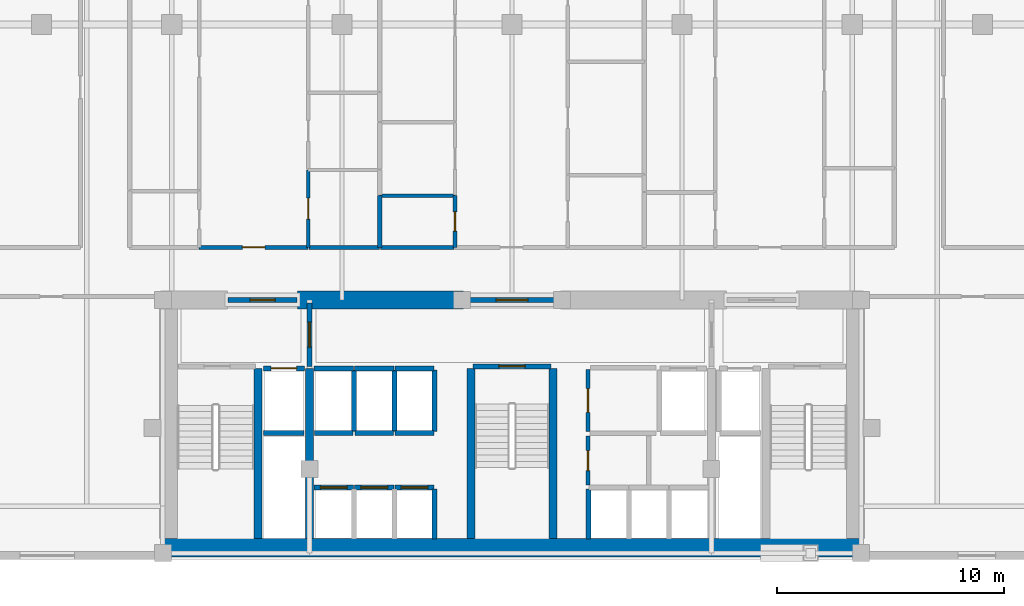
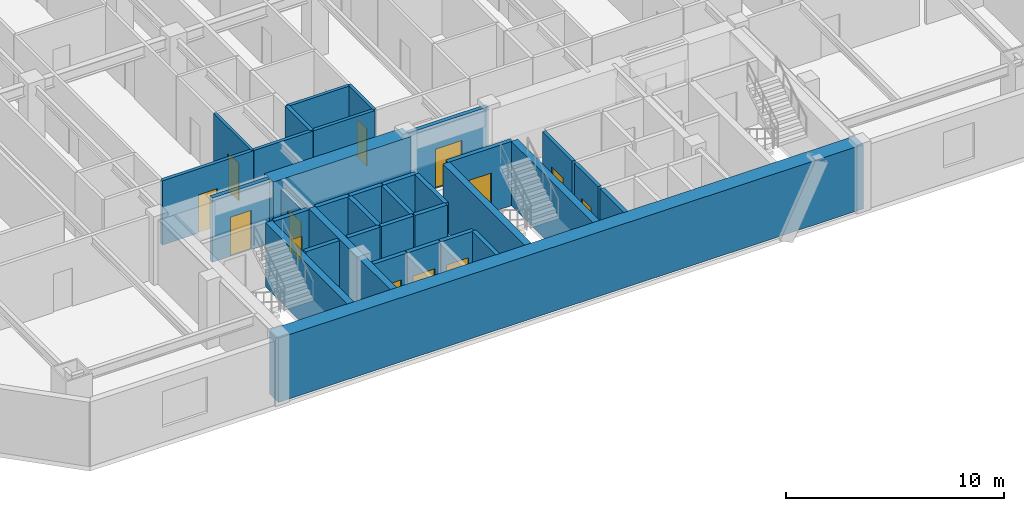
# One storey, part 3 of 9: 35 walls, 13 doors, 13 openings.
"""IFC4 building model written with IfcOpenShell, lengths in metres."""

from ifc_helpers import new_model, si_unit, direction, frame, frame_2d, origin, place, context, subcontext, project, spatial, rectangle, extrude, material, layer, layer_set, type_object, element, fill, save


model = new_model("IFC4")

# Units and contexts
model_context = context("Model", 3, precision=1e-05, world=origin(), true_north=direction((0.0, 1.0)))
body_context = subcontext(model_context, "Body", "Model", "MODEL_VIEW")
ifc_project = project(units=[si_unit("LENGTHUNIT", "METRE"), si_unit("AREAUNIT", "SQUARE_METRE"), si_unit("VOLUMEUNIT", "CUBIC_METRE"), si_unit("PLANEANGLEUNIT", "RADIAN"), si_unit("MASSUNIT", "GRAM", prefix="KILO")], contexts=[model_context])

# Site, building, storey
site_placement = place(None, origin())
site = spatial("IfcSite", under=ifc_project, at=site_placement, CompositionType="ELEMENT")
building_placement = place(site_placement, origin())
building = spatial("IfcBuilding", under=site, at=building_placement, Name="Ventersveld Concourse Tower", CompositionType="ELEMENT")
storey_placement = place(building_placement, frame((0.0, 0.0, 52.89990234375)))
storey = spatial("IfcBuildingStorey", under=building, at=storey_placement, Name="L12", CompositionType="ELEMENT", Elevation=52.89990234375)

# Walls
ifc_material_1 = material(Name="Concrete C60/75", Category="concrete")
ifc_layer_1 = layer(ifc_material_1, 0.35009765625)
ifc_layer_set_1 = layer_set([ifc_layer_1], Name="Concrete C60/75")
wall_type_1 = type_object("IfcWallType", Name="WL-CORE-350L", PredefinedType="SHEAR", material=ifc_layer_set_1)
for number, where, z_axis, x_axis, name in (
    (1, (17.5400390625, 0.919921875, 0.0), (0.0, 0.0, 1.0), (0.0, 1.0, 0.0), "L12 Core Internal Shear Web W-ST1-E"),
    (2, (19.820068359375, 0.919921875, 0.0), (0.0, 0.0, 1.0), (0.0, 1.0, 0.0), "L12 Core Internal Shear Web W-FF1-E"),
    (3, (26.93994140625, 0.919921875, 0.0), (0.0, 0.0, 1.0), (0.0, 1.0, 0.0), "L12 Core Internal Shear Web W-ST3-W"),
    (4, (30.56005859375, 0.919921875, 0.0), (0.0, 0.0, 1.0), (0.0, 1.0, 0.0), "L12 Core Internal Shear Web W-ST3-E"),
):
    element("IfcWall", number, at=place(storey_placement, frame(where, z_axis=z_axis, x_axis=x_axis)), inside=storey, type_object=wall_type_1, Name=name, PredefinedType="SHEAR", context=body_context, shape_type="SweptSolid", body=[
        extrude(rectangle(XDim=7.5, YDim=0.35009765625, at=frame_2d((3.75, 0.0))), origin(), (0.0, 0.0, 1.0), 3.60009765625),
    ])
ifc_layer_2 = layer(ifc_material_1, 0.800048828125)
ifc_layer_set_2 = layer_set([ifc_layer_2], Name="Concrete C60/75")
wall_type_2 = type_object("IfcWallType", Name="WL-CORE-800", PredefinedType="SHEAR", material=ifc_layer_set_2)
wall_1_placement = place(storey_placement, frame((13.25, 0.52001953125, 0.0), z_axis=(0.0, 0.0, 1.0), x_axis=(1.0, 0.0, 0.0)))
element("IfcWall", 5, at=wall_1_placement, inside=storey, type_object=wall_type_2, Name="L12 Rear Core South Shear Wall", PredefinedType="SHEAR", context=body_context, shape_type="SweptSolid", body=[
    extrude(rectangle(XDim=31.0, YDim=0.800048828125, at=frame_2d((15.5, 0.0))), origin(), (0.0, 0.0, 1.0), 3.60009765625),
])
wall_2_placement = place(storey_placement, frame((19.300048828125, 11.449951171875, 0.0), z_axis=(0.0, 0.0, 1.0), x_axis=(1.0, 0.0, 0.0)))
element("IfcWall", 6, at=wall_2_placement, inside=storey, type_object=wall_type_2, Name="L12 Rear Core North Shear Wall NML", PredefinedType="SHEAR", context=body_context, shape_type="SweptSolid", body=[
    extrude(rectangle(XDim=7.300048828125, YDim=0.800048828125, at=frame_2d((3.64990234375, 0.0))), origin(), (0.0, 0.0, 1.0), 3.60009765625),
])

# Wall, opening, door
ifc_material_2 = material(Name="Fire-rated autoclaved aerated masonry blockwork", Category="masonry")
ifc_layer_3 = layer(ifc_material_2, 0.179931640625)
ifc_layer_set_3 = layer_set([ifc_layer_3], Name="Fire-rated autoclaved aerated masonry blockwork")
wall_type_3 = type_object("IfcWallType", Name="WL-CORR-180", PredefinedType="PARTITIONING", material=ifc_layer_set_3)
wall_3_placement = place(storey_placement, frame((32.10009765625, 5.64990234375, 0.0), z_axis=(0.0, 0.0, 1.0), x_axis=(0.0, 1.0, 0.0)))
wall_3 = element("IfcWall", 7, at=wall_3_placement, inside=storey, type_object=wall_type_3, Name="L12 Core Passage Wall SP-L12-CBAY1", PredefinedType="PARTITIONING", context=body_context, shape_type="SweptSolid", body=[
    extrude(rectangle(XDim=2.72998046875, YDim=0.179931640625, at=frame_2d((1.364990234375, 0.0))), origin(), (0.0, 0.0, 1.0), 3.60009765625),
])
opening_1_placement = place(wall_3_placement, frame((0.840087890625, 0.0, 0.0)))
opening_1 = element("IfcOpeningElement", 8, at=opening_1_placement, cuts=wall_3, Name="Opening ID3", PredefinedType="OPENING", context=body_context, shape_type="SweptSolid", body=[
    extrude(rectangle(XDim=1.050048828125, YDim=2.14990234375, at=frame_2d((0.52490234375, 1.074951171875))), frame((0.0, 0.10009765625, 0.0), z_axis=(0.0, -1.0, 0.0), x_axis=(1.0, 0.0, 0.0)), (0.0, 0.0, 1.0), 0.199951171875),
])
ifc_material_3 = material(Name="Solid-core hardwood veneer timber", Category="wood")
door_type_1 = type_object("IfcDoorType", Name="DR-AWC-105", OperationType="NOTDEFINED", PredefinedType="DOOR", material=ifc_material_3)
door_1_placement = place(opening_1_placement, origin())
door_1 = element("IfcDoor", 9, at=door_1_placement, inside=storey, type_object=door_type_1, Name="L12 Core Room Door L12 Core Unisex Accessible WC (CD-L12-0485)", OperationType="SINGLE_SWING_RIGHT", OverallHeight=2.14990234375, OverallWidth=1.050048828125, PredefinedType="DOOR", context=body_context, shape_type="SweptSolid", body=[
    extrude(rectangle(XDim=1.050048828125, YDim=2.14990234375, at=frame_2d((0.52490234375, 1.074951171875))), frame((0.0, 0.02490234375, 0.0), z_axis=(0.0, -1.0, 0.0), x_axis=(1.0, 0.0, 0.0)), (0.0, 0.0, 1.0), 0.050048828125),
])
fill(opening_1, door_1)

wall_4_placement = place(storey_placement, frame((32.10009765625, 3.280029296875, 0.0), z_axis=(0.0, 0.0, 1.0), x_axis=(0.0, 1.0, 0.0)))
wall_4 = element("IfcWall", 10, at=wall_4_placement, inside=storey, type_object=wall_type_3, Name="L12 Core Passage Wall SP-L12-CBAY2", PredefinedType="PARTITIONING", context=body_context, shape_type="SweptSolid", body=[
    extrude(rectangle(XDim=2.169921875, YDim=0.179931640625, at=frame_2d((1.0849609375, 0.0))), origin(), (0.0, 0.0, 1.0), 3.60009765625),
])
opening_2_placement = place(wall_4_placement, frame((0.64501953125, 0.0, 0.0)))
opening_2 = element("IfcOpeningElement", 11, at=opening_2_placement, cuts=wall_4, Name="Opening FD5", PredefinedType="OPENING", context=body_context, shape_type="SweptSolid", body=[
    extrude(rectangle(XDim=0.8798828125, YDim=2.050048828125, at=frame_2d((0.43994140625, 1.02490234375))), frame((0.0, 0.10009765625, 0.0), z_axis=(0.0, -1.0, 0.0), x_axis=(1.0, 0.0, 0.0)), (0.0, 0.0, 1.0), 0.199951171875),
])
ifc_material_4 = material(Name="Galvanised painted steel", Category="steel")
door_type_2 = type_object("IfcDoorType", Name="DR-RISER-088", OperationType="NOTDEFINED", PredefinedType="DOOR", material=ifc_material_4)
door_2_placement = place(opening_2_placement, origin())
door_2 = element("IfcDoor", 12, at=door_2_placement, inside=storey, type_object=door_type_2, Name="L12 Core Room Door L12 Core Beverage Pantry (CD-L12-0486)", OperationType="SINGLE_SWING_LEFT", OverallHeight=2.050048828125, OverallWidth=0.8798828125, PredefinedType="DOOR", context=body_context, shape_type="SweptSolid", body=[
    extrude(rectangle(XDim=0.8798828125, YDim=2.050048828125, at=frame_2d((0.43994140625, 1.02490234375))), frame((0.0, 0.02490234375, 0.0), z_axis=(0.0, -1.0, 0.0), x_axis=(1.0, 0.0, 0.0)), (0.0, 0.0, 1.0), 0.050048828125),
])
fill(opening_2, door_2)

wall_5_placement = place(storey_placement, frame((14.94677734375, 13.77001953125, 0.0), z_axis=(0.0, 0.0, 1.0), x_axis=(1.0, 0.0, 0.0)))
wall_5 = element("IfcWall", 13, at=wall_5_placement, inside=storey, type_object=wall_type_3, Name="L12 Interior Partition SP-L12-COR-SP-L12-12CW-FOY", PredefinedType="PARTITIONING", context=body_context, shape_type="SweptSolid", body=[
    extrude(rectangle(XDim=4.81640625, YDim=0.179931640625, at=frame_2d((2.408203125, 0.0))), origin(), (0.0, 0.0, 1.0), 3.60009765625),
])
opening_3_placement = place(wall_5_placement, frame((1.908203125, 0.0, 0.0)))
opening_3 = element("IfcOpeningElement", 14, at=opening_3_placement, cuts=wall_5, Name="Opening FD3", PredefinedType="OPENING", context=body_context, shape_type="SweptSolid", body=[
    extrude(rectangle(XDim=1.0, YDim=2.14990234375, at=frame_2d((0.5, 1.074951171875))), frame((0.0, 0.10009765625, 0.0), z_axis=(0.0, -1.0, 0.0), x_axis=(1.0, 0.0, 0.0)), (0.0, 0.0, 1.0), 0.199951171875),
])
door_type_3 = type_object("IfcDoorType", Name="DR-FLAT-100", OperationType="NOTDEFINED", PredefinedType="DOOR", material=ifc_material_3)
door_3_placement = place(opening_3_placement, origin())
door_3 = element("IfcDoor", 15, at=door_3_placement, inside=storey, type_object=door_type_3, Name="L12 Interior Door SP-L12-COR to SP-L12-12CW-FOY (FD-L12-0491)", OperationType="SINGLE_SWING_LEFT", OverallHeight=2.14990234375, OverallWidth=1.0, PredefinedType="DOOR", context=body_context, shape_type="SweptSolid", body=[
    extrude(rectangle(XDim=1.0, YDim=2.14990234375, at=frame_2d((0.5, 1.074951171875))), frame((0.0, 0.02490234375, 0.0), z_axis=(0.0, -1.0, 0.0), x_axis=(1.0, 0.0, 0.0)), (0.0, 0.0, 1.0), 0.050048828125),
])
fill(opening_3, door_3)

# Walls
wall_6_placement = place(storey_placement, frame((19.793212890625, 13.77001953125, 0.0), z_axis=(0.0, 0.0, 1.0), x_axis=(1.0, 0.0, 0.0)))
element("IfcWall", 16, at=wall_6_placement, inside=storey, type_object=wall_type_3, Name="L12 Interior Partition SP-L12-COR-SP-L12-12CW-KIT", PredefinedType="PARTITIONING", context=body_context, shape_type="SweptSolid", body=[
    extrude(rectangle(XDim=3.121826171875, YDim=0.179931640625, at=frame_2d((1.56103515625, 0.0))), origin(), (0.0, 0.0, 1.0), 3.60009765625),
])
wall_7_placement = place(storey_placement, frame((22.945068359375, 13.77001953125, 0.0), z_axis=(0.0, 0.0, 1.0), x_axis=(1.0, 0.0, 0.0)))
element("IfcWall", 17, at=wall_7_placement, inside=storey, type_object=wall_type_3, Name="L12 Interior Partition SP-L12-COR-SP-L12-12CM-BATH", PredefinedType="PARTITIONING", context=body_context, shape_type="SweptSolid", body=[
    extrude(rectangle(XDim=3.256103515625, YDim=0.179931640625, at=frame_2d((1.6279296875, 0.0))), origin(), (0.0, 0.0, 1.0), 3.60009765625),
])
ifc_layer_4 = layer(ifc_material_2, 0.199951171875)
ifc_layer_set_4 = layer_set([ifc_layer_4], Name="Fire-rated autoclaved aerated masonry blockwork")
wall_type_4 = type_object("IfcWallType", Name="WL-DEMISE-200", PredefinedType="PARTITIONING", material=ifc_layer_set_4)
wall_8_placement = place(storey_placement, frame((22.909912109375, 13.764892578125, 0.0), z_axis=(0.0, 0.0, 1.0), x_axis=(0.0, 1.0, 0.0)))
element("IfcWall", 18, at=wall_8_placement, inside=storey, type_object=wall_type_4, Name="L12 Interior Partition SP-L12-12CW-KIT-SP-L12-12CM-BATH", PredefinedType="PARTITIONING", context=body_context, shape_type="SweptSolid", body=[
    extrude(rectangle(XDim=2.287841796875, YDim=0.199951171875, at=frame_2d((1.14404296875, 0.0))), origin(), (0.0, 0.0, 1.0), 3.60009765625),
])
ifc_layer_5 = layer(ifc_material_2, 0.219970703125)
ifc_layer_set_5 = layer_set([ifc_layer_5], Name="Fire-rated autoclaved aerated masonry blockwork")
wall_type_5 = type_object("IfcWallType", Name="WL-HOIST-220", PredefinedType="SOLIDWALL", material=ifc_layer_set_5)
wall_9_placement = place(storey_placement, frame((17.800048828125, 5.590087890625, 0.0), z_axis=(0.0, 0.0, 1.0), x_axis=(1.0, 0.0, 0.0)))
element("IfcWall", 19, at=wall_9_placement, inside=storey, type_object=wall_type_5, Name="L12 Lift Hoistway Back Wall FFL-01", PredefinedType="SOLIDWALL", context=body_context, shape_type="SweptSolid", body=[
    extrude(rectangle(XDim=1.780029296875, YDim=0.219970703125, at=frame_2d((0.89013671875, 0.0))), origin(), (0.0, 0.0, 1.0), 3.60009765625),
])

# Wall, opening, door
wall_10_placement = place(storey_placement, frame((17.780029296875, 8.429931640625, 0.0), z_axis=(0.0, 0.0, 1.0), x_axis=(1.0, 0.0, 0.0)))
wall_10 = element("IfcWall", 20, at=wall_10_placement, inside=storey, type_object=wall_type_5, Name="L12 Lift Hoistway Front Wall FFL-01", PredefinedType="SOLIDWALL", context=body_context, shape_type="SweptSolid", body=[
    extrude(rectangle(XDim=1.820068359375, YDim=0.219970703125, at=frame_2d((0.91015625, 0.0))), origin(), (0.0, 0.0, 1.0), 3.60009765625),
])
opening_4_placement = place(wall_10_placement, frame((0.35009765625, 0.0, 0.0)))
opening_4 = element("IfcOpeningElement", 21, at=opening_4_placement, cuts=wall_10, Name="Opening LD1", PredefinedType="OPENING", context=body_context, shape_type="SweptSolid", body=[
    extrude(rectangle(XDim=1.1201171875, YDim=2.25, at=frame_2d((0.56005859375, 1.125))), frame((0.0, 0.1201171875, 0.0), z_axis=(0.0, -1.0, 0.0), x_axis=(1.0, 0.0, 0.0)), (0.0, 0.0, 1.0), 0.239990234375),
])
ifc_material_5 = material(Name="Brushed stainless steel 316", Category="steel")
door_type_4 = type_object("IfcDoorType", Name="LD-FF-112", OperationType="SLIDING_TO_LEFT", PredefinedType="DOOR", material=ifc_material_5)
door_4_placement = place(opening_4_placement, origin())
door_4 = element("IfcDoor", 22, at=door_4_placement, inside=storey, type_object=door_type_4, Name="L12 Lift landing door FFL-01 (LD-L12-FFL-01)", OperationType="SLIDING_TO_LEFT", OverallHeight=2.25, OverallWidth=1.1201171875, PredefinedType="DOOR", context=body_context, shape_type="SweptSolid", body=[
    extrude(rectangle(XDim=1.1201171875, YDim=2.25, at=frame_2d((0.56005859375, 1.125))), frame((0.0, 0.02490234375, 0.0), z_axis=(0.0, -1.0, 0.0), x_axis=(1.0, 0.0, 0.0)), (0.0, 0.0, 1.0), 0.050048828125),
])
fill(opening_4, door_4)

wall_11_placement = place(storey_placement, frame((20.02001953125, 3.179931640625, 0.0), z_axis=(0.0, 0.0, 1.0), x_axis=(1.0, 0.0, 0.0)))
wall_11 = element("IfcWall", 23, at=wall_11_placement, inside=storey, type_object=wall_type_5, Name="L12 Lift Hoistway Front Wall PL-01", PredefinedType="SOLIDWALL", context=body_context, shape_type="SweptSolid", body=[
    extrude(rectangle(XDim=1.739990234375, YDim=0.219970703125, at=frame_2d((0.8701171875, 0.0))), origin(), (0.0, 0.0, 1.0), 3.60009765625),
])
opening_5_placement = place(wall_11_placement, frame((0.280029296875, 0.0, 0.0)))
opening_5 = element("IfcOpeningElement", 24, at=opening_5_placement, cuts=wall_11, Name="Opening LD2", PredefinedType="OPENING", context=body_context, shape_type="SweptSolid", body=[
    extrude(rectangle(XDim=1.179931640625, YDim=2.199951171875, at=frame_2d((0.58984375, 1.10009765625))), frame((0.0, 0.1201171875, 0.0), z_axis=(0.0, -1.0, 0.0), x_axis=(1.0, 0.0, 0.0)), (0.0, 0.0, 1.0), 0.239990234375),
])
door_type_5 = type_object("IfcDoorType", Name="LD-PAX-118", OperationType="SLIDING_TO_LEFT", PredefinedType="DOOR", material=ifc_material_5)
door_5_placement = place(opening_5_placement, origin())
door_5 = element("IfcDoor", 25, at=door_5_placement, inside=storey, type_object=door_type_5, Name="L12 Lift landing door PL-01 (LD-L12-PL-01)", OperationType="SLIDING_TO_RIGHT", OverallHeight=2.199951171875, OverallWidth=1.179931640625, PredefinedType="DOOR", context=body_context, shape_type="SweptSolid", body=[
    extrude(rectangle(XDim=1.179931640625, YDim=2.199951171875, at=frame_2d((0.58984375, 1.10009765625))), frame((0.0, 0.02490234375, 0.0), z_axis=(0.0, -1.0, 0.0), x_axis=(1.0, 0.0, 0.0)), (0.0, 0.0, 1.0), 0.050048828125),
])
fill(opening_5, door_5)

wall_12_placement = place(storey_placement, frame((21.800048828125, 3.179931640625, 0.0), z_axis=(0.0, 0.0, 1.0), x_axis=(1.0, 0.0, 0.0)))
wall_12 = element("IfcWall", 26, at=wall_12_placement, inside=storey, type_object=wall_type_5, Name="L12 Lift Hoistway Front Wall PL-02", PredefinedType="SOLIDWALL", context=body_context, shape_type="SweptSolid", body=[
    extrude(rectangle(XDim=1.739990234375, YDim=0.219970703125, at=frame_2d((0.8701171875, 0.0))), origin(), (0.0, 0.0, 1.0), 3.60009765625),
])
opening_6_placement = place(wall_12_placement, frame((0.280029296875, 0.0, 0.0)))
opening_6 = element("IfcOpeningElement", 27, at=opening_6_placement, cuts=wall_12, Name="Opening LD2", PredefinedType="OPENING", context=body_context, shape_type="SweptSolid", body=[
    extrude(rectangle(XDim=1.179931640625, YDim=2.199951171875, at=frame_2d((0.58984375, 1.10009765625))), frame((0.0, 0.1201171875, 0.0), z_axis=(0.0, -1.0, 0.0), x_axis=(1.0, 0.0, 0.0)), (0.0, 0.0, 1.0), 0.239990234375),
])
door_6_placement = place(opening_6_placement, origin())
door_6 = element("IfcDoor", 28, at=door_6_placement, inside=storey, type_object=door_type_5, Name="L12 Lift landing door PL-02 (LD-L12-PL-02)", OperationType="SLIDING_TO_LEFT", OverallHeight=2.199951171875, OverallWidth=1.179931640625, PredefinedType="DOOR", context=body_context, shape_type="SweptSolid", body=[
    extrude(rectangle(XDim=1.179931640625, YDim=2.199951171875, at=frame_2d((0.58984375, 1.10009765625))), frame((0.0, 0.02490234375, 0.0), z_axis=(0.0, -1.0, 0.0), x_axis=(1.0, 0.0, 0.0)), (0.0, 0.0, 1.0), 0.050048828125),
])
fill(opening_6, door_6)

# Wall
wall_13_placement = place(storey_placement, frame((25.340087890625, 0.89990234375, 0.0), z_axis=(0.0, 0.0, 1.0), x_axis=(0.0, 1.0, 0.0)))
element("IfcWall", 29, at=wall_13_placement, inside=storey, type_object=wall_type_5, Name="L12 Lift Hoistway Side Wall PL-03E", PredefinedType="SOLIDWALL", context=body_context, shape_type="SweptSolid", body=[
    extrude(rectangle(XDim=2.2001953125, YDim=0.219970703125, at=frame_2d((1.10009765625, 0.0))), origin(), (0.0, 0.0, 1.0), 3.60009765625),
])

# Wall, opening, door
wall_14_placement = place(storey_placement, frame((23.580078125, 3.179931640625, 0.0), z_axis=(0.0, 0.0, 1.0), x_axis=(1.0, 0.0, 0.0)))
wall_14 = element("IfcWall", 30, at=wall_14_placement, inside=storey, type_object=wall_type_5, Name="L12 Lift Hoistway Front Wall PL-03", PredefinedType="SOLIDWALL", context=body_context, shape_type="SweptSolid", body=[
    extrude(rectangle(XDim=1.739990234375, YDim=0.219970703125, at=frame_2d((0.8701171875, 0.0))), origin(), (0.0, 0.0, 1.0), 3.60009765625),
])
opening_7_placement = place(wall_14_placement, frame((0.280029296875, 0.0, 0.0)))
opening_7 = element("IfcOpeningElement", 31, at=opening_7_placement, cuts=wall_14, Name="Opening LD2", PredefinedType="OPENING", context=body_context, shape_type="SweptSolid", body=[
    extrude(rectangle(XDim=1.179931640625, YDim=2.199951171875, at=frame_2d((0.58984375, 1.10009765625))), frame((0.0, 0.1201171875, 0.0), z_axis=(0.0, -1.0, 0.0), x_axis=(1.0, 0.0, 0.0)), (0.0, 0.0, 1.0), 0.239990234375),
])
door_7_placement = place(opening_7_placement, origin())
door_7 = element("IfcDoor", 32, at=door_7_placement, inside=storey, type_object=door_type_5, Name="L12 Lift landing door PL-03 (LD-L12-PL-03)", OperationType="SLIDING_TO_RIGHT", OverallHeight=2.199951171875, OverallWidth=1.179931640625, PredefinedType="DOOR", context=body_context, shape_type="SweptSolid", body=[
    extrude(rectangle(XDim=1.179931640625, YDim=2.199951171875, at=frame_2d((0.58984375, 1.10009765625))), frame((0.0, 0.02490234375, 0.0), z_axis=(0.0, -1.0, 0.0), x_axis=(1.0, 0.0, 0.0)), (0.0, 0.0, 1.0), 0.050048828125),
])
fill(opening_7, door_7)

# Walls
wall_15_placement = place(storey_placement, frame((32.1201171875, 0.89990234375, 0.0), z_axis=(0.0, 0.0, 1.0), x_axis=(0.0, 1.0, 0.0)))
element("IfcWall", 33, at=wall_15_placement, inside=storey, type_object=wall_type_5, Name="L12 Lift Hoistway Side Wall PM-01W", PredefinedType="SOLIDWALL", context=body_context, shape_type="SweptSolid", body=[
    extrude(rectangle(XDim=2.2001953125, YDim=0.219970703125, at=frame_2d((1.10009765625, 0.0))), origin(), (0.0, 0.0, 1.0), 3.60009765625),
])
wall_16_placement = place(storey_placement, frame((20.0400390625, 5.590087890625, 0.0), z_axis=(0.0, 0.0, 1.0), x_axis=(1.0, 0.0, 0.0)))
element("IfcWall", 34, at=wall_16_placement, inside=storey, type_object=wall_type_5, Name="L12 Lift Hoistway Back Wall PH-01", PredefinedType="SOLIDWALL", context=body_context, shape_type="SweptSolid", body=[
    extrude(rectangle(XDim=1.699951171875, YDim=0.219970703125, at=frame_2d((0.85009765625, 0.0))), origin(), (0.0, 0.0, 1.0), 3.60009765625),
])
wall_17_placement = place(storey_placement, frame((21.780029296875, 5.64990234375, 0.0), z_axis=(0.0, 0.0, 1.0), x_axis=(0.0, 1.0, 0.0)))
element("IfcWall", 35, at=wall_17_placement, inside=storey, type_object=wall_type_5, Name="L12 Lift Hoistway Side Wall PH-01E", PredefinedType="SOLIDWALL", context=body_context, shape_type="SweptSolid", body=[
    extrude(rectangle(XDim=2.7001953125, YDim=0.219970703125, at=frame_2d((1.35009765625, 0.0))), origin(), (0.0, 0.0, 1.0), 3.60009765625),
])
wall_18_placement = place(storey_placement, frame((20.02001953125, 8.429931640625, 0.0), z_axis=(0.0, 0.0, 1.0), x_axis=(1.0, 0.0, 0.0)))
element("IfcWall", 36, at=wall_18_placement, inside=storey, type_object=wall_type_5, Name="L12 Lift Hoistway Front Wall PH-01", PredefinedType="SOLIDWALL", context=body_context, shape_type="SweptSolid", body=[
    extrude(rectangle(XDim=1.739990234375, YDim=0.219970703125, at=frame_2d((0.8701171875, 0.0))), origin(), (0.0, 0.0, 1.0), 3.60009765625),
])
wall_19_placement = place(storey_placement, frame((21.820068359375, 5.590087890625, 0.0), z_axis=(0.0, 0.0, 1.0), x_axis=(1.0, 0.0, 0.0)))
element("IfcWall", 37, at=wall_19_placement, inside=storey, type_object=wall_type_5, Name="L12 Lift Hoistway Back Wall PH-02", PredefinedType="SOLIDWALL", context=body_context, shape_type="SweptSolid", body=[
    extrude(rectangle(XDim=1.699951171875, YDim=0.219970703125, at=frame_2d((0.85009765625, 0.0))), origin(), (0.0, 0.0, 1.0), 3.60009765625),
])
wall_20_placement = place(storey_placement, frame((23.56005859375, 5.64990234375, 0.0), z_axis=(0.0, 0.0, 1.0), x_axis=(0.0, 1.0, 0.0)))
element("IfcWall", 38, at=wall_20_placement, inside=storey, type_object=wall_type_5, Name="L12 Lift Hoistway Side Wall PH-02E", PredefinedType="SOLIDWALL", context=body_context, shape_type="SweptSolid", body=[
    extrude(rectangle(XDim=2.7001953125, YDim=0.219970703125, at=frame_2d((1.35009765625, 0.0))), origin(), (0.0, 0.0, 1.0), 3.60009765625),
])
wall_21_placement = place(storey_placement, frame((21.800048828125, 8.429931640625, 0.0), z_axis=(0.0, 0.0, 1.0), x_axis=(1.0, 0.0, 0.0)))
element("IfcWall", 39, at=wall_21_placement, inside=storey, type_object=wall_type_5, Name="L12 Lift Hoistway Front Wall PH-02", PredefinedType="SOLIDWALL", context=body_context, shape_type="SweptSolid", body=[
    extrude(rectangle(XDim=1.739990234375, YDim=0.219970703125, at=frame_2d((0.8701171875, 0.0))), origin(), (0.0, 0.0, 1.0), 3.60009765625),
])
wall_22_placement = place(storey_placement, frame((23.60009765625, 5.590087890625, 0.0), z_axis=(0.0, 0.0, 1.0), x_axis=(1.0, 0.0, 0.0)))
element("IfcWall", 40, at=wall_22_placement, inside=storey, type_object=wall_type_5, Name="L12 Lift Hoistway Back Wall PH-03", PredefinedType="SOLIDWALL", context=body_context, shape_type="SweptSolid", body=[
    extrude(rectangle(XDim=1.699951171875, YDim=0.219970703125, at=frame_2d((0.85009765625, 0.0))), origin(), (0.0, 0.0, 1.0), 3.60009765625),
])
wall_23_placement = place(storey_placement, frame((25.340087890625, 5.64990234375, 0.0), z_axis=(0.0, 0.0, 1.0), x_axis=(0.0, 1.0, 0.0)))
element("IfcWall", 41, at=wall_23_placement, inside=storey, type_object=wall_type_5, Name="L12 Lift Hoistway Side Wall PH-03E", PredefinedType="SOLIDWALL", context=body_context, shape_type="SweptSolid", body=[
    extrude(rectangle(XDim=2.7001953125, YDim=0.219970703125, at=frame_2d((1.35009765625, 0.0))), origin(), (0.0, 0.0, 1.0), 3.60009765625),
])
wall_24_placement = place(storey_placement, frame((23.580078125, 8.429931640625, 0.0), z_axis=(0.0, 0.0, 1.0), x_axis=(1.0, 0.0, 0.0)))
element("IfcWall", 42, at=wall_24_placement, inside=storey, type_object=wall_type_5, Name="L12 Lift Hoistway Front Wall PH-03", PredefinedType="SOLIDWALL", context=body_context, shape_type="SweptSolid", body=[
    extrude(rectangle(XDim=1.739990234375, YDim=0.219970703125, at=frame_2d((0.8701171875, 0.0))), origin(), (0.0, 0.0, 1.0), 3.60009765625),
])

# Wall, opening, door
wall_25_placement = place(storey_placement, frame((27.0400390625, 8.52001953125, 0.0), z_axis=(0.0, 0.0, 1.0), x_axis=(1.0, 0.0, 0.0)))
wall_25 = element("IfcWall", 43, at=wall_25_placement, inside=storey, type_object=wall_type_5, Name="L12 Escape Stair ST03 Fire Wall", PredefinedType="SOLIDWALL", context=body_context, shape_type="SweptSolid", body=[
    extrude(rectangle(XDim=3.419921875, YDim=0.219970703125, at=frame_2d((1.7099609375, 0.0))), origin(), (0.0, 0.0, 1.0), 3.60009765625),
])
opening_8_placement = place(wall_25_placement, frame((1.135009765625, 0.0, 0.0)))
opening_8 = element("IfcOpeningElement", 44, at=opening_8_placement, cuts=wall_25, Name="Opening FD1", PredefinedType="OPENING", context=body_context, shape_type="SweptSolid", body=[
    extrude(rectangle(XDim=1.14990234375, YDim=2.199951171875, at=frame_2d((0.574951171875, 1.10009765625))), frame((0.0, 0.1201171875, 0.0), z_axis=(0.0, -1.0, 0.0), x_axis=(1.0, 0.0, 0.0)), (0.0, 0.0, 1.0), 0.239990234375),
])
door_type_6 = type_object("IfcDoorType", Name="DR-STAIR-115", OperationType="NOTDEFINED", PredefinedType="DOOR", material=ifc_material_4)
door_8_placement = place(opening_8_placement, origin())
door_8 = element("IfcDoor", 45, at=door_8_placement, inside=storey, type_object=door_type_6, Name="L12 Escape Stair Door ST03 (SD-L12-0479)", OperationType="SINGLE_SWING_LEFT", OverallHeight=2.199951171875, OverallWidth=1.14990234375, PredefinedType="DOOR", context=body_context, shape_type="SweptSolid", body=[
    extrude(rectangle(XDim=1.14990234375, YDim=2.199951171875, at=frame_2d((0.574951171875, 1.10009765625))), frame((0.0, 0.02490234375, 0.0), z_axis=(0.0, -1.0, 0.0), x_axis=(1.0, 0.0, 0.0)), (0.0, 0.0, 1.0), 0.050048828125),
])
fill(opening_8, door_8)

wall_26_placement = place(storey_placement, frame((19.820068359375, 8.52001953125, 0.0), z_axis=(0.0, 0.0, 1.0), x_axis=(0.0, 1.0, 0.0)))
wall_26 = element("IfcWall", 46, at=wall_26_placement, inside=storey, type_object=wall_type_5, Name="L12 Firefighting Lobby Smoke-Stop Wall FFLW-SEP", PredefinedType="SOLIDWALL", context=body_context, shape_type="SweptSolid", body=[
    extrude(rectangle(XDim=2.800048828125, YDim=0.219970703125, at=frame_2d((1.39990234375, 0.0))), origin(), (0.0, 0.0, 1.0), 3.0556640625),
])
opening_9_placement = place(wall_26_placement, frame((0.85009765625, 0.0, 0.0)))
opening_9 = element("IfcOpeningElement", 47, at=opening_9_placement, cuts=wall_26, Name="Opening FD2", PredefinedType="OPENING", context=body_context, shape_type="SweptSolid", body=[
    extrude(rectangle(XDim=1.10009765625, YDim=2.199951171875, at=frame_2d((0.550048828125, 1.10009765625))), frame((0.0, 0.1201171875, 0.0), z_axis=(0.0, -1.0, 0.0), x_axis=(1.0, 0.0, 0.0)), (0.0, 0.0, 1.0), 0.239990234375),
])
door_type_7 = type_object("IfcDoorType", Name="DR-FFL-110", OperationType="NOTDEFINED", PredefinedType="DOOR", material=ifc_material_4)
door_9_placement = place(opening_9_placement, origin())
door_9 = element("IfcDoor", 48, at=door_9_placement, inside=storey, type_object=door_type_7, Name="L12 Firefighting Lobby Door FFLW-SEP (FD-L12-0480)", OperationType="SINGLE_SWING_LEFT", OverallHeight=2.199951171875, OverallWidth=1.10009765625, PredefinedType="DOOR", context=body_context, shape_type="SweptSolid", body=[
    extrude(rectangle(XDim=1.10009765625, YDim=2.199951171875, at=frame_2d((0.550048828125, 1.10009765625))), frame((0.0, 0.02490234375, 0.0), z_axis=(0.0, -1.0, 0.0), x_axis=(1.0, 0.0, 0.0)), (0.0, 0.0, 1.0), 0.050048828125),
])
fill(opening_9, door_9)

wall_27_placement = place(storey_placement, frame((16.22998046875, 11.449951171875, 0.0), z_axis=(0.0, 0.0, 1.0), x_axis=(1.0, 0.0, 0.0)))
wall_27 = element("IfcWall", 49, at=wall_27_placement, inside=storey, type_object=wall_type_5, Name="L12 Core North Fire Portal FFLW-OUT", PredefinedType="SOLIDWALL", context=body_context, shape_type="SweptSolid", body=[
    extrude(rectangle(XDim=3.0400390625, YDim=0.219970703125, at=frame_2d((1.52001953125, 0.0))), origin(), (0.0, 0.0, 1.0), 3.60009765625),
])
opening_10_placement = place(wall_27_placement, frame((0.969970703125, 0.0, 0.0)))
opening_10 = element("IfcOpeningElement", 50, at=opening_10_placement, cuts=wall_27, Name="Opening FD2", PredefinedType="OPENING", context=body_context, shape_type="SweptSolid", body=[
    extrude(rectangle(XDim=1.10009765625, YDim=2.199951171875, at=frame_2d((0.550048828125, 1.10009765625))), frame((0.0, 0.1201171875, 0.0), z_axis=(0.0, -1.0, 0.0), x_axis=(1.0, 0.0, 0.0)), (0.0, 0.0, 1.0), 0.239990234375),
])
door_10_placement = place(opening_10_placement, origin())
door_10 = element("IfcDoor", 51, at=door_10_placement, inside=storey, type_object=door_type_7, Name="L12 Core Lobby Fire Door FFLW-OUT (FD-L12-0482)", OperationType="SINGLE_SWING_RIGHT", OverallHeight=2.199951171875, OverallWidth=1.10009765625, PredefinedType="DOOR", context=body_context, shape_type="SweptSolid", body=[
    extrude(rectangle(XDim=1.10009765625, YDim=2.199951171875, at=frame_2d((0.550048828125, 1.10009765625))), frame((0.0, 0.02490234375, 0.0), z_axis=(0.0, -1.0, 0.0), x_axis=(1.0, 0.0, 0.0)), (0.0, 0.0, 1.0), 0.050048828125),
])
fill(opening_10, door_10)

wall_28_placement = place(storey_placement, frame((26.6298828125, 11.449951171875, 0.0), z_axis=(0.0, 0.0, 1.0), x_axis=(1.0, 0.0, 0.0)))
wall_28 = element("IfcWall", 52, at=wall_28_placement, inside=storey, type_object=wall_type_5, Name="L12 Core North Fire Portal PLOB-OUT", PredefinedType="SOLIDWALL", context=body_context, shape_type="SweptSolid", body=[
    extrude(rectangle(XDim=4.240234375, YDim=0.219970703125, at=frame_2d((2.1201171875, 0.0))), origin(), (0.0, 0.0, 1.0), 3.60009765625),
])
opening_11_placement = place(wall_28_placement, frame((1.419921875, 0.0, 0.0)))
opening_11 = element("IfcOpeningElement", 53, at=opening_11_placement, cuts=wall_28, Name="Opening FD4", PredefinedType="OPENING", context=body_context, shape_type="SweptSolid", body=[
    extrude(rectangle(XDim=1.39990234375, YDim=2.199951171875, at=frame_2d((0.699951171875, 1.10009765625))), frame((0.0, 0.1201171875, 0.0), z_axis=(0.0, -1.0, 0.0), x_axis=(1.0, 0.0, 0.0)), (0.0, 0.0, 1.0), 0.239990234375),
])
door_type_8 = type_object("IfcDoorType", Name="DR-PLANT-140", OperationType="DOUBLE_DOOR_SINGLE_SWING", PredefinedType="DOOR", material=ifc_material_4)
door_11_placement = place(opening_11_placement, origin())
door_11 = element("IfcDoor", 54, at=door_11_placement, inside=storey, type_object=door_type_8, Name="L12 Core Lobby Fire Door PLOB-OUT (FD-L12-0483)", OperationType="DOUBLE_DOOR_SINGLE_SWING", OverallHeight=2.199951171875, OverallWidth=1.39990234375, PredefinedType="DOOR", context=body_context, shape_type="SweptSolid", body=[
    extrude(rectangle(XDim=1.39990234375, YDim=2.199951171875, at=frame_2d((0.699951171875, 1.10009765625))), frame((0.0, 0.02490234375, 0.0), z_axis=(0.0, -1.0, 0.0), x_axis=(1.0, 0.0, 0.0)), (0.0, 0.0, 1.0), 0.050048828125),
])
fill(opening_11, door_11)

ifc_material_6 = material(Name="Autoclaved aerated masonry blockwork", Category="masonry")
ifc_layer_6 = layer(ifc_material_6, 0.14990234375)
ifc_layer_set_6 = layer_set([ifc_layer_6], Name="Autoclaved aerated masonry blockwork")
wall_type_6 = type_object("IfcWallType", Name="WL-INT-150", PredefinedType="PARTITIONING", material=ifc_layer_set_6)
wall_29_placement = place(storey_placement, frame((19.758056640625, 13.764892578125, 0.0), z_axis=(0.0, 0.0, 1.0), x_axis=(0.0, 1.0, 0.0)))
wall_29 = element("IfcWall", 55, at=wall_29_placement, inside=storey, type_object=wall_type_6, Name="L12 Interior Partition SP-L12-12CW-FOY-SP-L12-12CW-KIT", PredefinedType="PARTITIONING", context=body_context, shape_type="SweptSolid", body=[
    extrude(rectangle(XDim=3.42041015625, YDim=0.14990234375, at=frame_2d((1.710205078125, 0.0))), origin(), (0.0, 0.0, 1.0), 3.60009765625),
])
opening_12_placement = place(wall_29_placement, frame((1.250244140625, 0.0, 0.0)))
opening_12 = element("IfcOpeningElement", 56, at=opening_12_placement, cuts=wall_29, Name="Opening ID1", PredefinedType="OPENING", context=body_context, shape_type="SweptSolid", body=[
    extrude(rectangle(XDim=0.919921875, YDim=2.10009765625, at=frame_2d((0.4599609375, 1.050048828125))), frame((0.0, 0.0849609375, 0.0), z_axis=(0.0, -1.0, 0.0), x_axis=(1.0, 0.0, 0.0)), (0.0, 0.0, 1.0), 0.169921875),
])
door_type_9 = type_object("IfcDoorType", Name="DR-ROOM-092", OperationType="NOTDEFINED", PredefinedType="DOOR", material=ifc_material_3)
door_12_placement = place(opening_12_placement, origin())
door_12 = element("IfcDoor", 57, at=door_12_placement, inside=storey, type_object=door_type_9, Name="L12 Interior Door SP-L12-12CW-FOY to SP-L12-12CW-KIT (D-L12-0499)", OperationType="SINGLE_SWING_LEFT", OverallHeight=2.10009765625, OverallWidth=0.919921875, PredefinedType="DOOR", context=body_context, shape_type="SweptSolid", body=[
    extrude(rectangle(XDim=0.919921875, YDim=2.10009765625, at=frame_2d((0.4599609375, 1.050048828125))), frame((0.0, 0.02490234375, 0.0), z_axis=(0.0, -1.0, 0.0), x_axis=(1.0, 0.0, 0.0)), (0.0, 0.0, 1.0), 0.050048828125),
])
fill(opening_12, door_12)

ifc_layer_7 = layer(ifc_material_6, 0.1650390625)
ifc_layer_set_7 = layer_set([ifc_layer_7], Name="Autoclaved aerated masonry blockwork")
wall_type_7 = type_object("IfcWallType", Name="WL-WET-165", PredefinedType="PLUMBINGWALL", material=ifc_layer_set_7)
wall_30_placement = place(storey_placement, frame((26.236083984375, 13.764892578125, 0.0), z_axis=(0.0, 0.0, 1.0), x_axis=(0.0, 1.0, 0.0)))
wall_30 = element("IfcWall", 58, at=wall_30_placement, inside=storey, type_object=wall_type_7, Name="L12 Interior Partition SP-L12-12CM-FOY-SP-L12-12CM-BATH", PredefinedType="PLUMBINGWALL", context=body_context, shape_type="SweptSolid", body=[
    extrude(rectangle(XDim=2.287841796875, YDim=0.1650390625, at=frame_2d((1.14404296875, 0.0))), origin(), (0.0, 0.0, 1.0), 3.60009765625),
])
opening_13_placement = place(wall_30_placement, frame((0.718994140625, 0.0, 0.0)))
opening_13 = element("IfcOpeningElement", 59, at=opening_13_placement, cuts=wall_30, Name="Opening ID2", PredefinedType="OPENING", context=body_context, shape_type="SweptSolid", body=[
    extrude(rectangle(XDim=0.85009765625, YDim=2.10009765625, at=frame_2d((0.425048828125, 1.050048828125))), frame((0.0, 0.092529296875, 0.0), z_axis=(0.0, -1.0, 0.0), x_axis=(1.0, 0.0, 0.0)), (0.0, 0.0, 1.0), 0.18505859375),
])
door_type_10 = type_object("IfcDoorType", Name="DR-BATH-085", OperationType="NOTDEFINED", PredefinedType="DOOR", material=ifc_material_3)
door_13_placement = place(opening_13_placement, origin())
door_13 = element("IfcDoor", 60, at=door_13_placement, inside=storey, type_object=door_type_10, Name="L12 Interior Door SP-L12-12CM-FOY to SP-L12-12CM-BATH (D-L12-0518)", OperationType="SINGLE_SWING_RIGHT", OverallHeight=2.10009765625, OverallWidth=0.85009765625, PredefinedType="DOOR", context=body_context, shape_type="SweptSolid", body=[
    extrude(rectangle(XDim=0.85009765625, YDim=2.10009765625, at=frame_2d((0.425048828125, 1.050048828125))), frame((0.0, 0.02490234375, 0.0), z_axis=(0.0, -1.0, 0.0), x_axis=(1.0, 0.0, 0.0)), (0.0, 0.0, 1.0), 0.050048828125),
])
fill(opening_13, door_13)

# Wall
wall_31_placement = place(storey_placement, frame((22.905029296875, 16.0478515625, 0.0), z_axis=(0.0, 0.0, 1.0), x_axis=(1.0, 0.0, 0.0)))
element("IfcWall", 61, at=wall_31_placement, inside=storey, type_object=wall_type_7, Name="L12 Interior Partition SP-L12-12CM-BATH-SP-L12-12CM-PANL0", PredefinedType="PLUMBINGWALL", context=body_context, shape_type="SweptSolid", body=[
    extrude(rectangle(XDim=3.336181640625, YDim=0.1650390625, at=frame_2d((1.66796875, 0.0))), origin(), (0.0, 0.0, 1.0), 3.60009765625),
])

save(model, "model.ifc")
